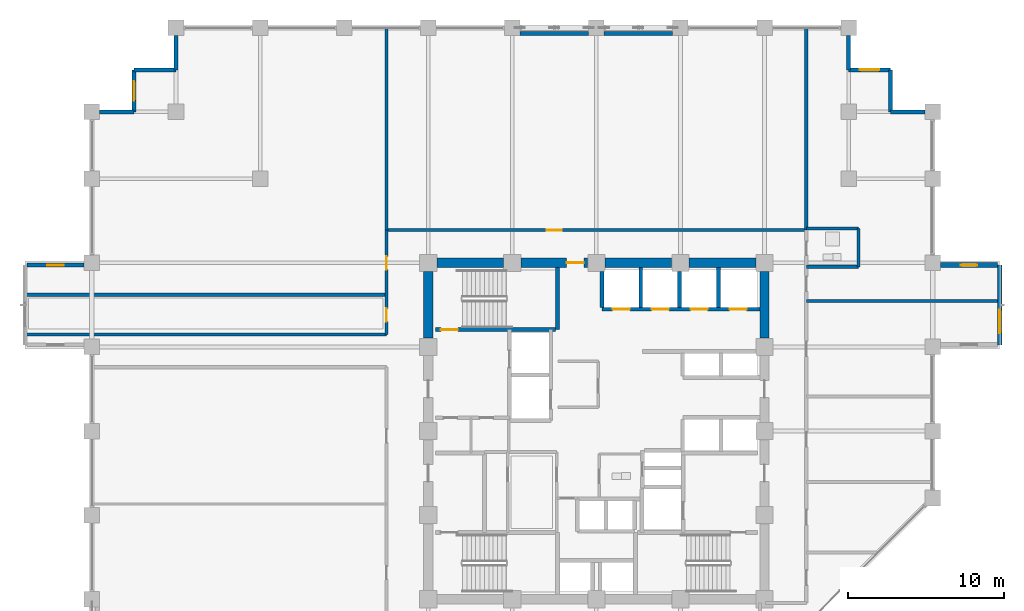
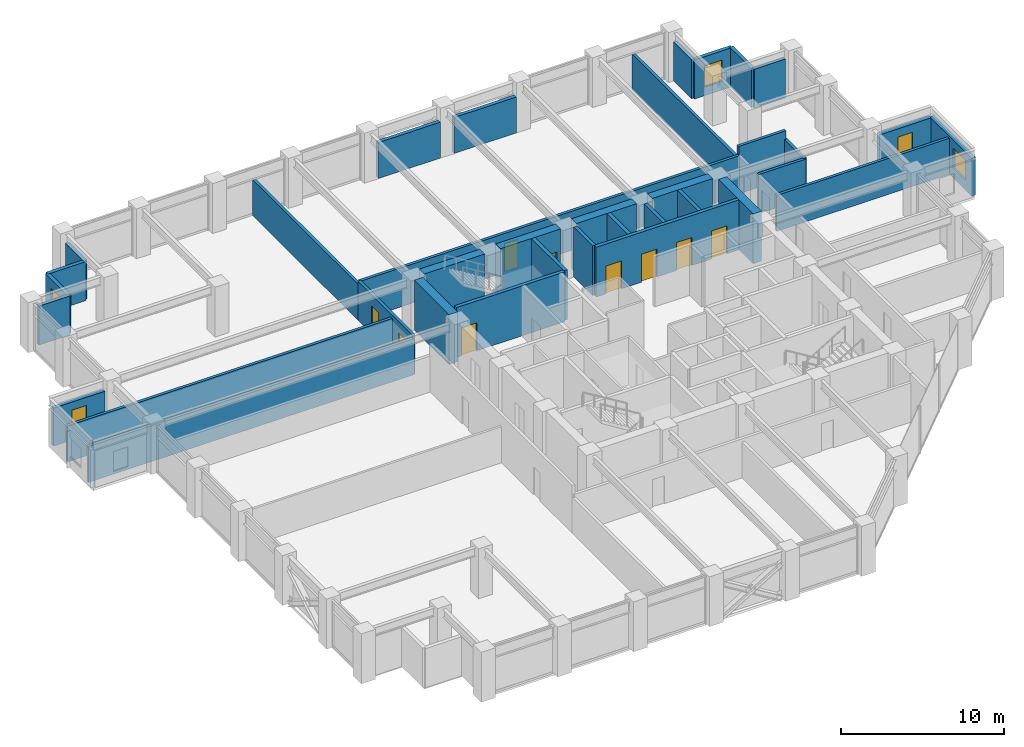
# One storey, part 24 of 29: 36 walls, 9 doors, 5 windows, 14 openings.
"""IFC4 building model written with IfcOpenShell, lengths in metres."""

from ifc_helpers import new_model, si_unit, direction, frame, frame_2d, origin, place, context, subcontext, project, spatial, rectangle, extrude, material, layer, layer_set, type_object, element, fill, save


model = new_model("IFC4")

# Units and contexts
model_context = context("Model", 3, precision=1e-05, world=origin(), true_north=direction((0.0, 1.0)))
body_context = subcontext(model_context, "Body", "Model", "MODEL_VIEW")
ifc_project = project(units=[si_unit("LENGTHUNIT", "METRE"), si_unit("AREAUNIT", "SQUARE_METRE"), si_unit("VOLUMEUNIT", "CUBIC_METRE"), si_unit("PLANEANGLEUNIT", "RADIAN"), si_unit("MASSUNIT", "GRAM", prefix="KILO")], contexts=[model_context])

# Site, building, storey
site_placement = place(None, origin())
site = spatial("IfcSite", under=ifc_project, at=site_placement, CompositionType="ELEMENT")
building_placement = place(site_placement, origin())
building = spatial("IfcBuilding", under=site, at=building_placement, Name="Surkhivell Harbour Commons", CompositionType="ELEMENT")
storey_placement = place(building_placement, frame((0.0, 0.0, 154.5)))
storey = spatial("IfcBuildingStorey", under=building, at=storey_placement, Name="L40", CompositionType="ELEMENT", Elevation=154.5)

# Wall
ifc_material_1 = material(Name="Concrete C60/75", Category="concrete")
ifc_layer_1 = layer(ifc_material_1, 0.60009765625)
ifc_layer_set_1 = layer_set([ifc_layer_1], Name="Concrete C60/75")
wall_type_1 = type_object("IfcWallType", Name="WAL-CORE-600", PredefinedType="SHEAR", material=ifc_layer_set_1)
wall_1_placement = place(storey_placement, frame((-10.239990234375, 10.800048828125, 0.0), z_axis=(0.0, 0.0, 1.0), x_axis=(1.0, 0.0, 0.0)))
element("IfcWall", 1, at=wall_1_placement, inside=storey, type_object=wall_type_1, Name="L40 Core Shear Wall North 1", PredefinedType="SHEAR", context=body_context, shape_type="SweptSolid", body=[
    extrude(rectangle(XDim=4.280029296875, YDim=0.60009765625, at=frame_2d((2.14013671875, 0.0))), origin(), (0.0, 0.0, 1.0), 3.75),
])

# Wall, opening, door
wall_2_placement = place(storey_placement, frame((-4.840087890625, 10.800048828125, 0.0), z_axis=(0.0, 0.0, 1.0), x_axis=(1.0, 0.0, 0.0)))
wall_2 = element("IfcWall", 2, at=wall_2_placement, inside=storey, type_object=wall_type_1, Name="L40 Core Shear Wall North 2", PredefinedType="SHEAR", context=body_context, shape_type="SweptSolid", body=[
    extrude(rectangle(XDim=4.280029296875, YDim=0.60009765625, at=frame_2d((2.14013671875, 0.0))), origin(), (0.0, 0.0, 1.0), 3.75),
])
opening_1_placement = place(wall_2_placement, frame((2.929931640625, 0.0, 0.0)))
opening_1 = element("IfcOpeningElement", 3, at=opening_1_placement, cuts=wall_2, Name="Opening ID-2", PredefinedType="OPENING", context=body_context, shape_type="SweptSolid", body=[
    extrude(rectangle(XDim=1.10009765625, YDim=2.10009765625, at=frame_2d((0.550048828125, 1.050048828125))), frame((0.0, 0.31005859375, 0.0), z_axis=(0.0, -1.0, 0.0), x_axis=(1.0, 0.0, 0.0)), (0.0, 0.0, 1.0), 0.6201171875),
])
ifc_material_2 = material(Name="Hardwood-veneered fire-rated door leaf", Category="wood")
door_type_1 = type_object("IfcDoorType", Name="DOR-FD60-1100", OperationType="NOTDEFINED", PredefinedType="DOOR", material=ifc_material_2)
door_1_placement = place(opening_1_placement, origin())
door_1 = element("IfcDoor", 4, at=door_1_placement, inside=storey, type_object=door_type_1, Name="L40 Central Core Lift Hall North Corridor Door", OperationType="SINGLE_SWING_LEFT", OverallHeight=2.10009765625, OverallWidth=1.10009765625, PredefinedType="DOOR", context=body_context, shape_type="SweptSolid", body=[
    extrude(rectangle(XDim=1.10009765625, YDim=2.10009765625, at=frame_2d((0.550048828125, 1.050048828125))), frame((0.0, 0.02490234375, 0.0), z_axis=(0.0, -1.0, 0.0), x_axis=(1.0, 0.0, 0.0)), (0.0, 0.0, 1.0), 0.050048828125),
])
fill(opening_1, door_1)

# Walls
for number, where, z_axis, x_axis, name in (
    (5, (0.56005859375, 10.800048828125, 0.0), (0.0, 0.0, 1.0), (1.0, 0.0, 0.0), "L40 Core Shear Wall North 3"),
    (6, (5.9599609375, 10.800048828125, 0.0), (0.0, 0.0, 1.0), (1.0, 0.0, 0.0), "L40 Core Shear Wall North 4"),
    (7, (-10.800048828125, 5.9599609375, 0.0), (0.0, 0.0, 1.0), (0.0, 1.0, 0.0), "L40 Core Shear Wall West 4"),
    (8, (10.800048828125, 5.9599609375, 0.0), (0.0, 0.0, 1.0), (0.0, 1.0, 0.0), "L40 Core Shear Wall East 4"),
):
    element("IfcWall", number, at=place(storey_placement, frame(where, z_axis=z_axis, x_axis=x_axis)), inside=storey, type_object=wall_type_1, Name=name, PredefinedType="SHEAR", context=body_context, shape_type="SweptSolid", body=[
        extrude(rectangle(XDim=4.280029296875, YDim=0.60009765625, at=frame_2d((2.14013671875, 0.0))), origin(), (0.0, 0.0, 1.0), 3.75),
    ])

# Wall, opening, window
ifc_material_3 = material(Name="Flemish-bond kiln brick and precast concrete C45/55", Category="masonry")
ifc_layer_2 = layer(ifc_material_3, 0.300048828125)
ifc_layer_set_2 = layer_set([ifc_layer_2], Name="Flemish-bond kiln brick and precast concrete C45/55")
wall_type_2 = type_object("IfcWallType", Name="WAL-EXT-BRK300", PredefinedType="STANDARD", material=ifc_layer_set_2)
wall_3_placement = place(storey_placement, frame((25.89990234375, 5.52001953125, 0.0), z_axis=(0.0, 0.0, 1.0), x_axis=(0.0, 1.0, 0.0)))
wall_3 = element("IfcWall", 9, at=wall_3_placement, inside=storey, type_object=wall_type_2, Name="L40 Coloured Box Front Wall 01", PredefinedType="STANDARD", context=body_context, shape_type="SweptSolid", body=[
    extrude(rectangle(XDim=5.159912109375, YDim=0.300048828125, at=frame_2d((2.580078125, 0.0))), origin(), (0.0, 0.0, 1.0), 2.85693359375),
])
opening_2_placement = place(wall_3_placement, frame((0.7548828125, 0.0, 0.75)))
opening_2 = element("IfcOpeningElement", 10, at=opening_2_placement, cuts=wall_3, Name="Opening WN-13", PredefinedType="OPENING", context=body_context, shape_type="SweptSolid", body=[
    extrude(rectangle(XDim=1.5, YDim=1.5, at=frame_2d((0.75, 0.75))), frame((0.0, 0.159912109375, 0.0), z_axis=(0.0, -1.0, 0.0), x_axis=(1.0, 0.0, 0.0)), (0.0, 0.0, 1.0), 0.320068359375),
])
ifc_material_4 = material(Name="Thermal-break aluminium frame and double low-E glazing", Category="aluminium")
window_type_1 = type_object("IfcWindowType", Name="WIN-BOX-1500x1500", PartitioningType="SINGLE_PANEL", PredefinedType="WINDOW", material=ifc_material_4)
window_1_placement = place(opening_2_placement, origin())
window_1 = element("IfcWindow", 11, at=window_1_placement, inside=storey, type_object=window_type_1, Name="L40 Coloured Box Square Window 01-1", OverallHeight=1.5, OverallWidth=1.5, PartitioningType="SINGLE_PANEL", PredefinedType="WINDOW", context=body_context, shape_type="SweptSolid", body=[
    extrude(rectangle(XDim=1.5, YDim=1.5, at=frame_2d((0.75, 0.75))), frame((0.0, 0.030029296875, 0.0), z_axis=(0.0, -1.0, 0.0), x_axis=(1.0, 0.0, 0.0)), (0.0, 0.0, 1.0), 0.06005859375),
])
fill(opening_2, window_1)

wall_4_placement = place(storey_placement, frame((22.10400390625, 10.659912109375, 0.0), z_axis=(0.0, 0.0, 1.0), x_axis=(1.0, 0.0, 0.0)))
wall_4 = element("IfcWall", 12, at=wall_4_placement, inside=storey, type_object=wall_type_2, Name="L40 Coloured Box Return Wall 01N", PredefinedType="STANDARD", context=body_context, shape_type="SweptSolid", body=[
    extrude(rectangle(XDim=3.656005859375, YDim=0.300048828125, at=frame_2d((1.828125, 0.0))), origin(), (0.0, 0.0, 1.0), 2.85693359375),
])
opening_3_placement = place(wall_4_placement, frame((1.302978515625, 0.0, 0.75)))
opening_3 = element("IfcOpeningElement", 13, at=opening_3_placement, cuts=wall_4, Name="Opening WN-11", PredefinedType="OPENING", context=body_context, shape_type="SweptSolid", body=[
    extrude(rectangle(XDim=1.050048828125, YDim=1.5, at=frame_2d((0.52490234375, 0.75))), frame((0.0, 0.159912109375, 0.0), z_axis=(0.0, -1.0, 0.0), x_axis=(1.0, 0.0, 0.0)), (0.0, 0.0, 1.0), 0.320068359375),
])
window_type_2 = type_object("IfcWindowType", Name="WIN-SER-1050x1500", PartitioningType="SINGLE_PANEL", PredefinedType="WINDOW", material=ifc_material_4)
window_2_placement = place(opening_3_placement, origin())
window_2 = element("IfcWindow", 14, at=window_2_placement, inside=storey, type_object=window_type_2, Name="L40 Coloured Box Return Window 01N", OverallHeight=1.5, OverallWidth=1.050048828125, PartitioningType="SINGLE_PANEL", PredefinedType="WINDOW", context=body_context, shape_type="SweptSolid", body=[
    extrude(rectangle(XDim=1.050048828125, YDim=1.5, at=frame_2d((0.52490234375, 0.75))), frame((0.0, 0.030029296875, 0.0), z_axis=(0.0, -1.0, 0.0), x_axis=(1.0, 0.0, 0.0)), (0.0, 0.0, 1.0), 0.06005859375),
])
fill(opening_3, window_2)

# Walls
ifc_material_5 = material(Name="Pale-metal insulated precast concrete C45/55", Category="concrete")
ifc_layer_3 = layer(ifc_material_5, 0.260009765625)
ifc_layer_set_3 = layer_set([ifc_layer_3], Name="Pale-metal insulated precast concrete C45/55")
wall_type_3 = type_object("IfcWallType", Name="WAL-EXT-MTL260", PredefinedType="STANDARD", material=ifc_layer_set_3)
wall_5_placement = place(storey_placement, frame((21.10205078125, 20.5, 0.0), z_axis=(0.0, 0.0, 1.0), x_axis=(-1.0, 0.0, 0.0)))
element("IfcWall", 15, at=wall_5_placement, inside=storey, type_object=wall_type_3, Name="L40 Serrated Corner Facade Wall 03", PredefinedType="STANDARD", context=body_context, shape_type="SweptSolid", body=[
    extrude(rectangle(XDim=2.2021484375, YDim=0.260009765625, at=frame_2d((1.10107421875, 0.0))), origin(), (0.0, 0.0, 1.0), 2.93310546875),
])
wall_6_placement = place(storey_placement, frame((18.89990234375, 20.5, 0.0), z_axis=(0.0, 0.0, 1.0), x_axis=(0.0, 1.0, 0.0)))
element("IfcWall", 16, at=wall_6_placement, inside=storey, type_object=wall_type_3, Name="L40 Serrated Corner Facade Wall 04", PredefinedType="STANDARD", context=body_context, shape_type="SweptSolid", body=[
    extrude(rectangle(XDim=2.699951171875, YDim=0.260009765625, at=frame_2d((1.35009765625, 0.0))), origin(), (0.0, 0.0, 1.0), 2.93310546875),
])

# Wall, opening, window
wall_7_placement = place(storey_placement, frame((18.89990234375, 23.199951171875, 0.0), z_axis=(0.0, 0.0, 1.0), x_axis=(-1.0, 0.0, 0.0)))
wall_7 = element("IfcWall", 17, at=wall_7_placement, inside=storey, type_object=wall_type_3, Name="L40 Serrated Corner Facade Wall 05", PredefinedType="STANDARD", context=body_context, shape_type="SweptSolid", body=[
    extrude(rectangle(XDim=2.699951171875, YDim=0.260009765625, at=frame_2d((1.35009765625, 0.0))), origin(), (0.0, 0.0, 1.0), 2.93310546875),
])
opening_4_placement = place(wall_7_placement, frame((0.72509765625, 0.0, 0.64990234375)))
opening_4 = element("IfcOpeningElement", 18, at=opening_4_placement, cuts=wall_7, Name="Opening WN-09", PredefinedType="OPENING", context=body_context, shape_type="SweptSolid", body=[
    extrude(rectangle(XDim=1.25, YDim=1.60009765625, at=frame_2d((0.625, 0.800048828125))), frame((0.0, 0.139892578125, 0.0), z_axis=(0.0, -1.0, 0.0), x_axis=(1.0, 0.0, 0.0)), (0.0, 0.0, 1.0), 0.280029296875),
])
window_type_3 = type_object("IfcWindowType", Name="WIN-SER-1250x1600", PartitioningType="SINGLE_PANEL", PredefinedType="WINDOW", material=ifc_material_4)
window_3_placement = place(opening_4_placement, origin())
window_3 = element("IfcWindow", 19, at=window_3_placement, inside=storey, type_object=window_type_3, Name="L40 Serrated Alcove Window 05", OverallHeight=1.60009765625, OverallWidth=1.25, PartitioningType="SINGLE_PANEL", PredefinedType="WINDOW", context=body_context, shape_type="SweptSolid", body=[
    extrude(rectangle(XDim=1.25, YDim=1.60009765625, at=frame_2d((0.625, 0.800048828125))), frame((0.0, 0.030029296875, 0.0), z_axis=(0.0, -1.0, 0.0), x_axis=(1.0, 0.0, 0.0)), (0.0, 0.0, 1.0), 0.06005859375),
])
fill(opening_4, window_3)

# Walls
wall_8_placement = place(storey_placement, frame((16.199951171875, 23.199951171875, 0.0), z_axis=(0.0, 0.0, 1.0), x_axis=(0.0, 1.0, 0.0)))
element("IfcWall", 20, at=wall_8_placement, inside=storey, type_object=wall_type_3, Name="L40 Serrated Corner Facade Wall 06", PredefinedType="STANDARD", context=body_context, shape_type="SweptSolid", body=[
    extrude(rectangle(XDim=2.2021484375, YDim=0.260009765625, at=frame_2d((1.10107421875, 0.0))), origin(), (0.0, 0.0, 1.0), 2.93310546875),
])
for number, where, z_axis, x_axis, name in (
    (21, (-0.498046875, 25.5400390625, 0.0), (0.0, 0.0, 1.0), (-1.0, 0.0, 0.0), "L40 Braced-Bay Insulated Spandrel Backing N"),
    (22, (4.902099609375, 25.5400390625, 0.0), (0.0, 0.0, 1.0), (-1.0, 0.0, 0.0), "L40 Braced-Bay Insulated Spandrel Backing N2"),
):
    element("IfcWall", number, at=place(storey_placement, frame(where, z_axis=z_axis, x_axis=x_axis)), inside=storey, type_object=wall_type_3, Name=name, PredefinedType="STANDARD", context=body_context, shape_type="SweptSolid", body=[
        extrude(rectangle(XDim=4.404052734375, YDim=0.260009765625, at=frame_2d((2.2021484375, 0.0))), origin(), (0.0, 0.0, 1.0), 2.698974609375),
    ])
wall_9_placement = place(storey_placement, frame((-27.0, 25.402099609375, 0.0), z_axis=(0.0, 0.0, 1.0), x_axis=(0.0, -1.0, 0.0)))
element("IfcWall", 23, at=wall_9_placement, inside=storey, type_object=wall_type_3, Name="L40 Serrated Corner Facade Wall 08", PredefinedType="STANDARD", context=body_context, shape_type="SweptSolid", body=[
    extrude(rectangle(XDim=2.2021484375, YDim=0.260009765625, at=frame_2d((1.10107421875, 0.0))), origin(), (0.0, 0.0, 1.0), 2.93310546875),
])
wall_10_placement = place(storey_placement, frame((-27.0, 23.199951171875, 0.0), z_axis=(0.0, 0.0, 1.0), x_axis=(-1.0, 0.0, 0.0)))
element("IfcWall", 24, at=wall_10_placement, inside=storey, type_object=wall_type_3, Name="L40 Serrated Corner Facade Wall 09", PredefinedType="STANDARD", context=body_context, shape_type="SweptSolid", body=[
    extrude(rectangle(XDim=2.699951171875, YDim=0.260009765625, at=frame_2d((1.35009765625, 0.0))), origin(), (0.0, 0.0, 1.0), 2.93310546875),
])

# Wall, opening, window
wall_11_placement = place(storey_placement, frame((-29.699951171875, 23.199951171875, 0.0), z_axis=(0.0, 0.0, 1.0), x_axis=(0.0, -1.0, 0.0)))
wall_11 = element("IfcWall", 25, at=wall_11_placement, inside=storey, type_object=wall_type_3, Name="L40 Serrated Corner Facade Wall 10", PredefinedType="STANDARD", context=body_context, shape_type="SweptSolid", body=[
    extrude(rectangle(XDim=2.699951171875, YDim=0.260009765625, at=frame_2d((1.35009765625, 0.0))), origin(), (0.0, 0.0, 1.0), 2.93310546875),
])
opening_5_placement = place(wall_11_placement, frame((0.72509765625, 0.0, 0.64990234375)))
opening_5 = element("IfcOpeningElement", 26, at=opening_5_placement, cuts=wall_11, Name="Opening WN-09", PredefinedType="OPENING", context=body_context, shape_type="SweptSolid", body=[
    extrude(rectangle(XDim=1.25, YDim=1.60009765625, at=frame_2d((0.625, 0.800048828125))), frame((0.0, 0.139892578125, 0.0), z_axis=(0.0, -1.0, 0.0), x_axis=(1.0, 0.0, 0.0)), (0.0, 0.0, 1.0), 0.280029296875),
])
window_4_placement = place(opening_5_placement, origin())
window_4 = element("IfcWindow", 27, at=window_4_placement, inside=storey, type_object=window_type_3, Name="L40 Serrated Alcove Window 10", OverallHeight=1.60009765625, OverallWidth=1.25, PartitioningType="SINGLE_PANEL", PredefinedType="WINDOW", context=body_context, shape_type="SweptSolid", body=[
    extrude(rectangle(XDim=1.25, YDim=1.60009765625, at=frame_2d((0.625, 0.800048828125))), frame((0.0, 0.030029296875, 0.0), z_axis=(0.0, -1.0, 0.0), x_axis=(1.0, 0.0, 0.0)), (0.0, 0.0, 1.0), 0.06005859375),
])
fill(opening_5, window_4)

# Wall
wall_12_placement = place(storey_placement, frame((-29.699951171875, 20.5, 0.0), z_axis=(0.0, 0.0, 1.0), x_axis=(-1.0, 0.0, 0.0)))
element("IfcWall", 28, at=wall_12_placement, inside=storey, type_object=wall_type_3, Name="L40 Serrated Corner Facade Wall 11", PredefinedType="STANDARD", context=body_context, shape_type="SweptSolid", body=[
    extrude(rectangle(XDim=2.2021484375, YDim=0.260009765625, at=frame_2d((1.10107421875, 0.0))), origin(), (0.0, 0.0, 1.0), 2.93310546875),
])

# Wall, opening, window
ifc_material_6 = material(Name="Bronze-ochre cassette precast concrete C45/55", Category="concrete")
ifc_layer_4 = layer(ifc_material_6, 0.239990234375)
ifc_layer_set_4 = layer_set([ifc_layer_4], Name="Bronze-ochre cassette precast concrete C45/55")
wall_type_4 = type_object("IfcWallType", Name="WAL-EXT-OCH240", PredefinedType="STANDARD", material=ifc_layer_set_4)
wall_13_placement = place(storey_placement, frame((-36.56005859375, 10.659912109375, 0.0), z_axis=(0.0, 0.0, 1.0), x_axis=(1.0, 0.0, 0.0)))
wall_13 = element("IfcWall", 29, at=wall_13_placement, inside=storey, type_object=wall_type_4, Name="L40 Coloured Box Return Wall 02N", PredefinedType="STANDARD", context=body_context, shape_type="SweptSolid", body=[
    extrude(rectangle(XDim=3.656005859375, YDim=0.239990234375, at=frame_2d((1.828125, 0.0))), origin(), (0.0, 0.0, 1.0), 2.85693359375),
])
opening_6_placement = place(wall_13_placement, frame((1.302978515625, 0.0, 0.75)))
opening_6 = element("IfcOpeningElement", 30, at=opening_6_placement, cuts=wall_13, Name="Opening WN-11", PredefinedType="OPENING", context=body_context, shape_type="SweptSolid", body=[
    extrude(rectangle(XDim=1.050048828125, YDim=1.5, at=frame_2d((0.52490234375, 0.75))), frame((0.0, 0.1298828125, 0.0), z_axis=(0.0, -1.0, 0.0), x_axis=(1.0, 0.0, 0.0)), (0.0, 0.0, 1.0), 0.260009765625),
])
window_5_placement = place(opening_6_placement, origin())
window_5 = element("IfcWindow", 31, at=window_5_placement, inside=storey, type_object=window_type_2, Name="L40 Coloured Box Return Window 02N", OverallHeight=1.5, OverallWidth=1.050048828125, PartitioningType="SINGLE_PANEL", PredefinedType="WINDOW", context=body_context, shape_type="SweptSolid", body=[
    extrude(rectangle(XDim=1.050048828125, YDim=1.5, at=frame_2d((0.52490234375, 0.75))), frame((0.0, 0.030029296875, 0.0), z_axis=(0.0, -1.0, 0.0), x_axis=(1.0, 0.0, 0.0)), (0.0, 0.0, 1.0), 0.06005859375),
])
fill(opening_6, window_5)

# Walls
ifc_material_7 = material(Name="Autoclaved aerated concrete blockwork and fire plaster", Category="masonry")
ifc_layer_5 = layer(ifc_material_7, 0.199951171875)
ifc_layer_set_5 = layer_set([ifc_layer_5], Name="Autoclaved aerated concrete blockwork and fire plaster")
wall_type_5 = type_object("IfcWallType", Name="WAL-INT-200", PredefinedType="PARTITIONING", material=ifc_layer_set_5)
for number, where, z_axis, x_axis, name in (
    (32, (13.47998046875, 12.89990234375, 0.0), (0.0, 0.0, 1.0), (0.0, 1.0, 0.0), "L40 North-East Wing Corner Divider"),
    (33, (-13.47998046875, 12.89990234375, 0.0), (0.0, 0.0, 1.0), (0.0, 1.0, 0.0), "L40 North-West Wing Corner Divider"),
):
    element("IfcWall", number, at=place(storey_placement, frame(where, z_axis=z_axis, x_axis=x_axis)), inside=storey, type_object=wall_type_5, Name=name, PredefinedType="PARTITIONING", context=body_context, shape_type="SweptSolid", body=[
        extrude(rectangle(XDim=12.940185546875, YDim=0.199951171875, at=frame_2d((6.47021484375, 0.0))), origin(), (0.0, 0.0, 1.0), 2.698974609375),
    ])

# Wall, opening, door
wall_14_placement = place(storey_placement, frame((-13.47998046875, 12.89990234375, 0.0), z_axis=(0.0, 0.0, 1.0), x_axis=(1.0, 0.0, 0.0)))
wall_14 = element("IfcWall", 34, at=wall_14_placement, inside=storey, type_object=wall_type_5, Name="L40 Corridor North Wall", PredefinedType="PARTITIONING", context=body_context, shape_type="SweptSolid", body=[
    extrude(rectangle(XDim=26.9599609375, YDim=0.199951171875, at=frame_2d((13.47998046875, 0.0))), origin(), (0.0, 0.0, 1.0), 2.93310546875),
])
opening_7_placement = place(wall_14_placement, frame((10.2998046875, 0.0, 0.0)))
opening_7 = element("IfcOpeningElement", 35, at=opening_7_placement, cuts=wall_14, Name="Opening ID-4", PredefinedType="OPENING", context=body_context, shape_type="SweptSolid", body=[
    extrude(rectangle(XDim=0.949951171875, YDim=2.10009765625, at=frame_2d((0.47509765625, 1.050048828125))), frame((0.0, 0.10986328125, 0.0), z_axis=(0.0, -1.0, 0.0), x_axis=(1.0, 0.0, 0.0)), (0.0, 0.0, 1.0), 0.219970703125),
])
door_type_2 = type_object("IfcDoorType", Name="DOR-FD60-950", OperationType="NOTDEFINED", PredefinedType="DOOR", material=ifc_material_2)
door_2_placement = place(opening_7_placement, origin())
door_2 = element("IfcDoor", 36, at=door_2_placement, inside=storey, type_object=door_type_2, Name="L40 Harbour Social Lounge North Door", OperationType="SINGLE_SWING_LEFT", OverallHeight=2.10009765625, OverallWidth=0.949951171875, PredefinedType="DOOR", context=body_context, shape_type="SweptSolid", body=[
    extrude(rectangle(XDim=0.949951171875, YDim=2.10009765625, at=frame_2d((0.47509765625, 1.050048828125))), frame((0.0, 0.02490234375, 0.0), z_axis=(0.0, -1.0, 0.0), x_axis=(1.0, 0.0, 0.0)), (0.0, 0.0, 1.0), 0.050048828125),
])
fill(opening_7, door_2)

# Wall
wall_15_placement = place(storey_placement, frame((-36.639892578125, 6.199951171875, 0.0), z_axis=(0.0, 0.0, 1.0), x_axis=(1.0, 0.0, 0.0)))
element("IfcWall", 37, at=wall_15_placement, inside=storey, type_object=wall_type_5, Name="L40 West Alcove North Wall", PredefinedType="PARTITIONING", context=body_context, shape_type="SweptSolid", body=[
    extrude(rectangle(XDim=23.159912109375, YDim=0.199951171875, at=frame_2d((11.580078125, 0.0))), origin(), (0.0, 0.0, 1.0), 2.698974609375),
])

# Wall, openings, doors
wall_16_placement = place(storey_placement, frame((-13.47998046875, 6.199951171875, 0.0), z_axis=(0.0, 0.0, 1.0), x_axis=(0.0, 1.0, 0.0)))
wall_16 = element("IfcWall", 38, at=wall_16_placement, inside=storey, type_object=wall_type_5, Name="L40 Corridor West-Upper Wall", PredefinedType="PARTITIONING", context=body_context, shape_type="SweptSolid", body=[
    extrude(rectangle(XDim=6.699951171875, YDim=0.199951171875, at=frame_2d((3.35009765625, 0.0))), origin(), (0.0, 0.0, 1.0), 2.93310546875),
])
opening_8_placement = place(wall_16_placement, frame((0.824951171875, 0.0, 0.0)))
opening_8 = element("IfcOpeningElement", 39, at=opening_8_placement, cuts=wall_16, Name="Opening ID-6", PredefinedType="OPENING", context=body_context, shape_type="SweptSolid", body=[
    extrude(rectangle(XDim=0.85009765625, YDim=2.10009765625, at=frame_2d((0.425048828125, 1.050048828125))), frame((0.0, 0.10986328125, 0.0), z_axis=(0.0, -1.0, 0.0), x_axis=(1.0, 0.0, 0.0)), (0.0, 0.0, 1.0), 0.219970703125),
])
opening_9_placement = place(wall_16_placement, frame((4.175048828125, 0.0, 0.0)))
opening_9 = element("IfcOpeningElement", 40, at=opening_9_placement, cuts=wall_16, Name="Opening ID-6", PredefinedType="OPENING", context=body_context, shape_type="SweptSolid", body=[
    extrude(rectangle(XDim=0.85009765625, YDim=2.10009765625, at=frame_2d((0.425048828125, 1.050048828125))), frame((0.0, 0.10986328125, 0.0), z_axis=(0.0, -1.0, 0.0), x_axis=(1.0, 0.0, 0.0)), (0.0, 0.0, 1.0), 0.219970703125),
])
door_type_3 = type_object("IfcDoorType", Name="DOR-FD30-850", OperationType="NOTDEFINED", PredefinedType="DOOR", material=ifc_material_2)
door_3_placement = place(opening_8_placement, origin())
door_3 = element("IfcDoor", 41, at=door_3_placement, inside=storey, type_object=door_type_3, Name="L40 Harbour Reading Library North-West Door", OperationType="SINGLE_SWING_LEFT", OverallHeight=2.10009765625, OverallWidth=0.85009765625, PredefinedType="DOOR", context=body_context, shape_type="SweptSolid", body=[
    extrude(rectangle(XDim=0.85009765625, YDim=2.10009765625, at=frame_2d((0.425048828125, 1.050048828125))), frame((0.0, 0.02490234375, 0.0), z_axis=(0.0, -1.0, 0.0), x_axis=(1.0, 0.0, 0.0)), (0.0, 0.0, 1.0), 0.050048828125),
])
fill(opening_8, door_3)
door_4_placement = place(opening_9_placement, origin())
door_4 = element("IfcDoor", 42, at=door_4_placement, inside=storey, type_object=door_type_3, Name="L40 Communal Dining Hall North-West Door", OperationType="SINGLE_SWING_RIGHT", OverallHeight=2.10009765625, OverallWidth=0.85009765625, PredefinedType="DOOR", context=body_context, shape_type="SweptSolid", body=[
    extrude(rectangle(XDim=0.85009765625, YDim=2.10009765625, at=frame_2d((0.425048828125, 1.050048828125))), frame((0.0, 0.02490234375, 0.0), z_axis=(0.0, -1.0, 0.0), x_axis=(1.0, 0.0, 0.0)), (0.0, 0.0, 1.0), 0.050048828125),
])
fill(opening_9, door_4)

# Walls
wall_17_placement = place(storey_placement, frame((16.830078125, 10.550048828125, 0.0), z_axis=(0.0, 0.0, 1.0), x_axis=(0.0, 1.0, 0.0)))
element("IfcWall", 43, at=wall_17_placement, inside=storey, type_object=wall_type_5, Name="L40 East Partition BTHB", PredefinedType="PARTITIONING", context=body_context, shape_type="SweptSolid", body=[
    extrude(rectangle(XDim=2.449951171875, YDim=0.199951171875, at=frame_2d((1.22509765625, 0.0))), origin(), (0.0, 0.0, 1.0), 2.93310546875),
])
wall_18_placement = place(storey_placement, frame((13.47998046875, 13.0, 0.0), z_axis=(0.0, 0.0, 1.0), x_axis=(1.0, 0.0, 0.0)))
element("IfcWall", 44, at=wall_18_placement, inside=storey, type_object=wall_type_5, Name="L40 East Partition BTHN", PredefinedType="PARTITIONING", context=body_context, shape_type="SweptSolid", body=[
    extrude(rectangle(XDim=3.35009765625, YDim=0.199951171875, at=frame_2d((1.675048828125, 0.0))), origin(), (0.0, 0.0, 1.0), 3.570068359375),
])
wall_19_placement = place(storey_placement, frame((13.47998046875, 10.550048828125, 0.0), z_axis=(0.0, 0.0, 1.0), x_axis=(1.0, 0.0, 0.0)))
element("IfcWall", 45, at=wall_19_placement, inside=storey, type_object=wall_type_5, Name="L40 East Partition BTHS", PredefinedType="PARTITIONING", context=body_context, shape_type="SweptSolid", body=[
    extrude(rectangle(XDim=3.35009765625, YDim=0.199951171875, at=frame_2d((1.675048828125, 0.0))), origin(), (0.0, 0.0, 1.0), 2.93310546875),
])
wall_20_placement = place(storey_placement, frame((13.47998046875, 8.35009765625, 0.0), z_axis=(0.0, 0.0, 1.0), x_axis=(1.0, 0.0, 0.0)))
element("IfcWall", 46, at=wall_20_placement, inside=storey, type_object=wall_type_5, Name="L40 East Partition PTOP", PredefinedType="PARTITIONING", context=body_context, shape_type="SweptSolid", body=[
    extrude(rectangle(XDim=12.360107421875, YDim=0.199951171875, at=frame_2d((6.18017578125, 0.0))), origin(), (0.0, 0.0, 1.0), 2.698974609375),
])
wall_21_placement = place(storey_placement, frame((-36.639892578125, 8.75, 0.0), z_axis=(0.0, 0.0, 1.0), x_axis=(1.0, 0.0, 0.0)))
element("IfcWall", 47, at=wall_21_placement, inside=storey, type_object=wall_type_5, Name="L40 North-West Partition P1", PredefinedType="PARTITIONING", context=body_context, shape_type="SweptSolid", body=[
    extrude(rectangle(XDim=23.159912109375, YDim=0.199951171875, at=frame_2d((11.580078125, 0.0))), origin(), (0.0, 0.0, 1.0), 2.698974609375),
])
ifc_material_8 = material(Name="Concrete C50/60", Category="concrete")
ifc_layer_6 = layer(ifc_material_8, 0.25)
ifc_layer_set_6 = layer_set([ifc_layer_6], Name="Concrete C50/60")
wall_type_6 = type_object("IfcWallType", Name="WAL-SHAFT-250", PredefinedType="SHEAR", material=ifc_layer_set_6)
wall_22_placement = place(storey_placement, frame((2.85009765625, 7.93994140625, 0.0), z_axis=(0.0, 0.0, 1.0), x_axis=(0.0, 1.0, 0.0)))
element("IfcWall", 48, at=wall_22_placement, inside=storey, type_object=wall_type_6, Name="L40 Low-Rise Hoistway Wall", PredefinedType="SHEAR", context=body_context, shape_type="SweptSolid", body=[
    extrude(rectangle(XDim=2.56005859375, YDim=0.25, at=frame_2d((1.280029296875, 0.0))), origin(), (0.0, 0.0, 1.0), 3.75),
])
for number, where, z_axis, x_axis, name in (
    (49, (0.35009765625, 7.93994140625, 0.0), (0.0, 0.0, 1.0), (0.0, 1.0, 0.0), "L40 Low-Rise Hoistway Wall"),
    (50, (5.35009765625, 7.93994140625, 0.0), (0.0, 0.0, 1.0), (0.0, 1.0, 0.0), "L40 Low-Rise Hoistway Wall"),
):
    element("IfcWall", number, at=place(storey_placement, frame(where, z_axis=z_axis, x_axis=x_axis)), inside=storey, type_object=wall_type_6, Name=name, PredefinedType="SHEAR", context=body_context, shape_type="SweptSolid", body=[
        extrude(rectangle(XDim=2.31005859375, YDim=0.25, at=frame_2d((1.155029296875, 0.0))), origin(), (0.0, 0.0, 1.0), 3.75),
    ])
wall_23_placement = place(storey_placement, frame((7.85009765625, 7.93994140625, 0.0), z_axis=(0.0, 0.0, 1.0), x_axis=(0.0, 1.0, 0.0)))
element("IfcWall", 51, at=wall_23_placement, inside=storey, type_object=wall_type_6, Name="L40 Low-Rise Hoistway Wall", PredefinedType="SHEAR", context=body_context, shape_type="SweptSolid", body=[
    extrude(rectangle(XDim=2.56005859375, YDim=0.25, at=frame_2d((1.280029296875, 0.0))), origin(), (0.0, 0.0, 1.0), 3.75),
])

# Wall, openings, doors
wall_24_placement = place(storey_placement, frame((0.35009765625, 7.820068359375, 0.0), z_axis=(0.0, 0.0, 1.0), x_axis=(1.0, 0.0, 0.0)))
wall_24 = element("IfcWall", 52, at=wall_24_placement, inside=storey, type_object=wall_type_6, Name="L40 Low-Rise Lift Front Shaft Wall", PredefinedType="SHEAR", context=body_context, shape_type="SweptSolid", body=[
    extrude(rectangle(XDim=10.14990234375, YDim=0.25, at=frame_2d((5.074951171875, 0.0))), origin(), (0.0, 0.0, 1.0), 3.75),
])
opening_10_placement = place(wall_24_placement, frame((0.699951171875, 0.0, 0.0)))
opening_10 = element("IfcOpeningElement", 53, at=opening_10_placement, cuts=wall_24, Name="Opening LD-1", PredefinedType="OPENING", context=body_context, shape_type="SweptSolid", body=[
    extrude(rectangle(XDim=1.10009765625, YDim=2.10009765625, at=frame_2d((0.550048828125, 1.050048828125))), frame((0.0, 0.135009765625, 0.0), z_axis=(0.0, -1.0, 0.0), x_axis=(1.0, 0.0, 0.0)), (0.0, 0.0, 1.0), 0.27001953125),
])
opening_11_placement = place(wall_24_placement, frame((3.199951171875, 0.0, 0.0)))
opening_11 = element("IfcOpeningElement", 54, at=opening_11_placement, cuts=wall_24, Name="Opening LD-1", PredefinedType="OPENING", context=body_context, shape_type="SweptSolid", body=[
    extrude(rectangle(XDim=1.10009765625, YDim=2.10009765625, at=frame_2d((0.550048828125, 1.050048828125))), frame((0.0, 0.135009765625, 0.0), z_axis=(0.0, -1.0, 0.0), x_axis=(1.0, 0.0, 0.0)), (0.0, 0.0, 1.0), 0.27001953125),
])
opening_12_placement = place(wall_24_placement, frame((5.699951171875, 0.0, 0.0)))
opening_12 = element("IfcOpeningElement", 55, at=opening_12_placement, cuts=wall_24, Name="Opening LD-1", PredefinedType="OPENING", context=body_context, shape_type="SweptSolid", body=[
    extrude(rectangle(XDim=1.10009765625, YDim=2.10009765625, at=frame_2d((0.550048828125, 1.050048828125))), frame((0.0, 0.135009765625, 0.0), z_axis=(0.0, -1.0, 0.0), x_axis=(1.0, 0.0, 0.0)), (0.0, 0.0, 1.0), 0.27001953125),
])
opening_13_placement = place(wall_24_placement, frame((8.199951171875, 0.0, 0.0)))
opening_13 = element("IfcOpeningElement", 56, at=opening_13_placement, cuts=wall_24, Name="Opening LD-1", PredefinedType="OPENING", context=body_context, shape_type="SweptSolid", body=[
    extrude(rectangle(XDim=1.10009765625, YDim=2.10009765625, at=frame_2d((0.550048828125, 1.050048828125))), frame((0.0, 0.135009765625, 0.0), z_axis=(0.0, -1.0, 0.0), x_axis=(1.0, 0.0, 0.0)), (0.0, 0.0, 1.0), 0.27001953125),
])
ifc_material_9 = material(Name="Brushed stainless steel S355", Category="steel")
door_type_4 = type_object("IfcDoorType", Name="DOR-LD-1100", OperationType="SLIDING_TO_LEFT", PredefinedType="DOOR", material=ifc_material_9)
door_5_placement = place(opening_10_placement, origin())
door_5 = element("IfcDoor", 57, at=door_5_placement, inside=storey, type_object=door_type_4, Name="L40 Lift Landing Door LD-PL1", OperationType="SLIDING_TO_LEFT", OverallHeight=2.10009765625, OverallWidth=1.10009765625, PredefinedType="DOOR", context=body_context, shape_type="SweptSolid", body=[
    extrude(rectangle(XDim=1.10009765625, YDim=2.10009765625, at=frame_2d((0.550048828125, 1.050048828125))), frame((0.0, 0.02490234375, 0.0), z_axis=(0.0, -1.0, 0.0), x_axis=(1.0, 0.0, 0.0)), (0.0, 0.0, 1.0), 0.050048828125),
])
fill(opening_10, door_5)
door_6_placement = place(opening_11_placement, origin())
door_6 = element("IfcDoor", 58, at=door_6_placement, inside=storey, type_object=door_type_4, Name="L40 Lift Landing Door LD-PL2", OperationType="SLIDING_TO_LEFT", OverallHeight=2.10009765625, OverallWidth=1.10009765625, PredefinedType="DOOR", context=body_context, shape_type="SweptSolid", body=[
    extrude(rectangle(XDim=1.10009765625, YDim=2.10009765625, at=frame_2d((0.550048828125, 1.050048828125))), frame((0.0, 0.02490234375, 0.0), z_axis=(0.0, -1.0, 0.0), x_axis=(1.0, 0.0, 0.0)), (0.0, 0.0, 1.0), 0.050048828125),
])
fill(opening_11, door_6)
door_7_placement = place(opening_12_placement, origin())
door_7 = element("IfcDoor", 59, at=door_7_placement, inside=storey, type_object=door_type_4, Name="L40 Lift Landing Door LD-PL3", OperationType="SLIDING_TO_LEFT", OverallHeight=2.10009765625, OverallWidth=1.10009765625, PredefinedType="DOOR", context=body_context, shape_type="SweptSolid", body=[
    extrude(rectangle(XDim=1.10009765625, YDim=2.10009765625, at=frame_2d((0.550048828125, 1.050048828125))), frame((0.0, 0.02490234375, 0.0), z_axis=(0.0, -1.0, 0.0), x_axis=(1.0, 0.0, 0.0)), (0.0, 0.0, 1.0), 0.050048828125),
])
fill(opening_12, door_7)
door_8_placement = place(opening_13_placement, origin())
door_8 = element("IfcDoor", 60, at=door_8_placement, inside=storey, type_object=door_type_4, Name="L40 Lift Landing Door LD-PL4", OperationType="SLIDING_TO_LEFT", OverallHeight=2.10009765625, OverallWidth=1.10009765625, PredefinedType="DOOR", context=body_context, shape_type="SweptSolid", body=[
    extrude(rectangle(XDim=1.10009765625, YDim=2.10009765625, at=frame_2d((0.550048828125, 1.050048828125))), frame((0.0, 0.02490234375, 0.0), z_axis=(0.0, -1.0, 0.0), x_axis=(1.0, 0.0, 0.0)), (0.0, 0.0, 1.0), 0.050048828125),
])
fill(opening_13, door_8)

# Wall
wall_25_placement = place(storey_placement, frame((-2.510009765625, 6.510009765625, 0.0), z_axis=(0.0, 0.0, 1.0), x_axis=(0.0, 1.0, 0.0)))
element("IfcWall", 61, at=wall_25_placement, inside=storey, type_object=wall_type_6, Name="L40 Stair ST1 East Shear Wall", PredefinedType="SHEAR", context=body_context, shape_type="SweptSolid", body=[
    extrude(rectangle(XDim=3.989990234375, YDim=0.25, at=frame_2d((1.9951171875, 0.0))), origin(), (0.0, 0.0, 1.0), 3.75),
])

# Wall, opening, door
wall_26_placement = place(storey_placement, frame((-10.340087890625, 6.510009765625, 0.0), z_axis=(0.0, 0.0, 1.0), x_axis=(1.0, 0.0, 0.0)))
wall_26 = element("IfcWall", 62, at=wall_26_placement, inside=storey, type_object=wall_type_6, Name="L40 Stair ST1 South Shear Wall", PredefinedType="SHEAR", context=body_context, shape_type="SweptSolid", body=[
    extrude(rectangle(XDim=7.7001953125, YDim=0.25, at=frame_2d((3.85009765625, 0.0))), origin(), (0.0, 0.0, 1.0), 3.75),
])
opening_14_placement = place(wall_26_placement, frame((0.35009765625, 0.0, 0.0)))
opening_14 = element("IfcOpeningElement", 63, at=opening_14_placement, cuts=wall_26, Name="Opening ID-2", PredefinedType="OPENING", context=body_context, shape_type="SweptSolid", body=[
    extrude(rectangle(XDim=1.10009765625, YDim=2.10009765625, at=frame_2d((0.550048828125, 1.050048828125))), frame((0.0, 0.135009765625, 0.0), z_axis=(0.0, -1.0, 0.0), x_axis=(1.0, 0.0, 0.0)), (0.0, 0.0, 1.0), 0.27001953125),
])
door_9_placement = place(opening_14_placement, origin())
door_9 = element("IfcDoor", 64, at=door_9_placement, inside=storey, type_object=door_type_1, Name="L40 Stair ST1 Exit Door", OperationType="SINGLE_SWING_LEFT", OverallHeight=2.10009765625, OverallWidth=1.10009765625, PredefinedType="DOOR", context=body_context, shape_type="SweptSolid", body=[
    extrude(rectangle(XDim=1.10009765625, YDim=2.10009765625, at=frame_2d((0.550048828125, 1.050048828125))), frame((0.0, 0.02490234375, 0.0), z_axis=(0.0, -1.0, 0.0), x_axis=(1.0, 0.0, 0.0)), (0.0, 0.0, 1.0), 0.050048828125),
])
fill(opening_14, door_9)

save(model, "model.ifc")
